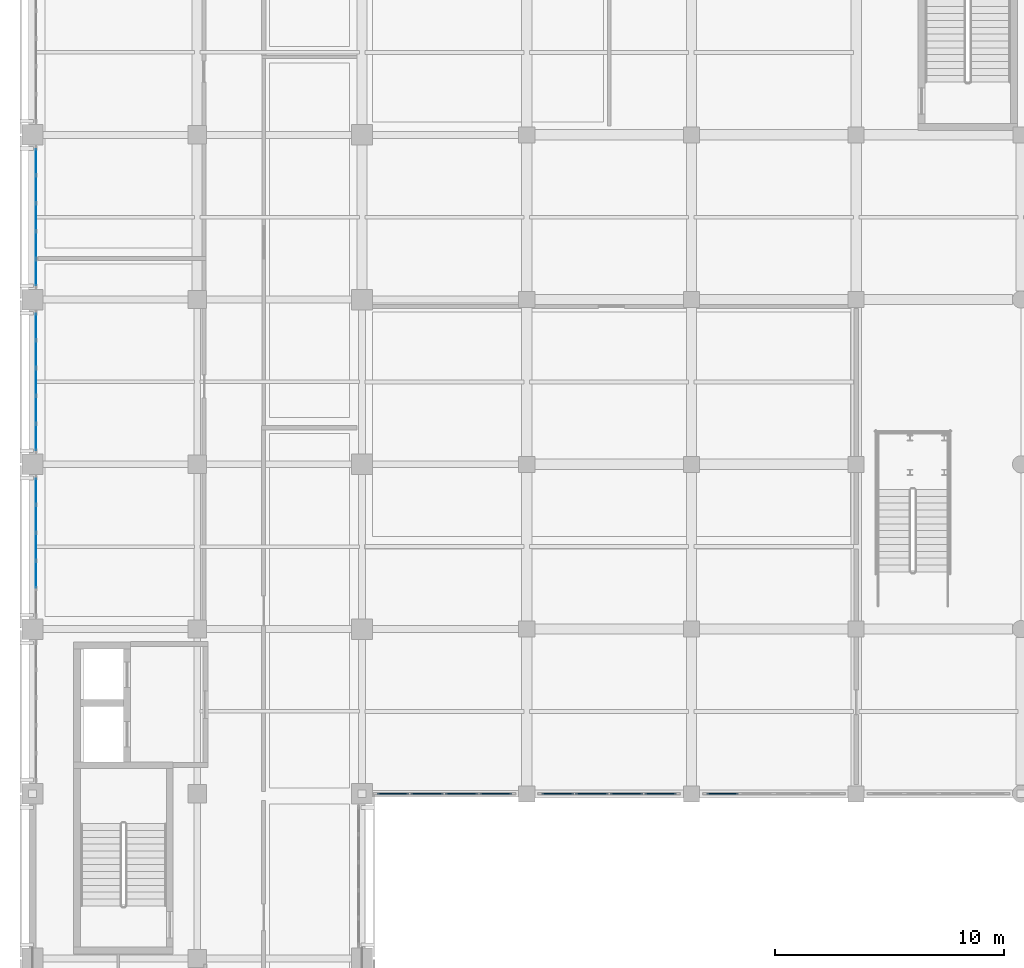
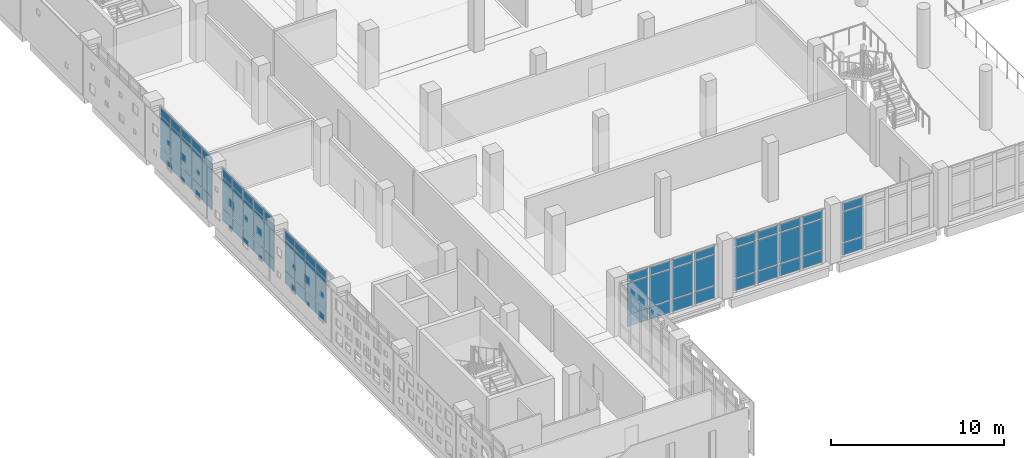
# One storey, part 23 of 57: 69 plates, 6 elements without a shape of their own.
"""IFC4 building model written with IfcOpenShell, lengths in metres."""

from ifc_helpers import new_model, si_unit, direction, frame, origin, origin_2d, place, context, subcontext, project, spatial, rectangle, extrude, material, layer, layer_set, type_object, element, aggregate, save


model = new_model("IFC4")

# Units and contexts
model_context = context("Model", 3, precision=1e-05, world=origin(), true_north=direction((0.0, 1.0)))
body_context = subcontext(model_context, "Body", "Model", "MODEL_VIEW")
ifc_project = project(units=[si_unit("LENGTHUNIT", "METRE"), si_unit("AREAUNIT", "SQUARE_METRE"), si_unit("VOLUMEUNIT", "CUBIC_METRE"), si_unit("PLANEANGLEUNIT", "RADIAN"), si_unit("MASSUNIT", "GRAM", prefix="KILO")], contexts=[model_context])

# Site, building, storey
site_placement = place(None, origin())
site = spatial("IfcSite", under=ifc_project, at=site_placement, CompositionType="ELEMENT")
building_placement = place(site_placement, origin())
building = spatial("IfcBuilding", under=site, at=building_placement, Name="Valkovuoma Quantum and Materials Research Institute", CompositionType="ELEMENT")
storey_placement = place(building_placement, frame((0.0, 0.0, 4.800048828125)))
storey = spatial("IfcBuildingStorey", under=building, at=storey_placement, Name="L01", CompositionType="ELEMENT", Elevation=4.800048828125)

# Curtain wall, plates
ifc_material_1 = material(Name="Thermally broken aluminium and triple low-E glazing", Category="aluminium")
ifc_layer_1 = layer(ifc_material_1, 0.219970703125)
ifc_layer_set_1 = layer_set([ifc_layer_1], Name="Thermally broken aluminium and triple low-E glazing")
curtain_wall_type_1 = type_object("IfcCurtainWallType", Name="CW-CW-01", PredefinedType="NOTDEFINED", material=ifc_layer_set_1)
curtain_wall_1_placement = place(storey_placement, origin())
curtain_wall_1 = element("IfcCurtainWall", 1, at=curtain_wall_1_placement, inside=storey, type_object=curtain_wall_type_1, Name="L01 curtain wall 012", PredefinedType="NOTDEFINED")
ifc_material_2 = material(Name="Triple low-E argon insulating glass", Category="glass")
ifc_layer_2 = layer(ifc_material_2, 0.035888671875)
ifc_layer_set_2 = layer_set([ifc_layer_2], Name="Triple low-E argon insulating glass")
plate_type_1 = type_object("IfcPlateType", Name="CWPanel-CWP-01", PredefinedType="CURTAIN_PANEL", material=ifc_layer_set_2)
plate_1_placement = place(storey_placement, frame((0.14990234375, 45.582763671875, 0.06494140625), z_axis=(0.0, 0.0, 1.0), x_axis=(0.0, 1.0, 0.0)))
plate_1 = element("IfcPlate", 2, at=plate_1_placement, type_object=plate_type_1, Name="CW-01 panel 2.1", PredefinedType="CURTAIN_PANEL", context=body_context, shape_type="SweptSolid", body=[
    extrude(rectangle(XDim=1.152099609375, YDim=0.035888671875, at=origin_2d()), origin(), (0.0, 0.0, 1.0), 0.8525390625),
])
plate_2_placement = place(storey_placement, frame((0.14990234375, 45.582763671875, 0.982421875), z_axis=(0.0, 0.0, 1.0), x_axis=(0.0, 1.0, 0.0)))
plate_2 = element("IfcPlate", 3, at=plate_2_placement, type_object=plate_type_1, Name="CW-01 panel 2.2", PredefinedType="CURTAIN_PANEL", context=body_context, shape_type="SweptSolid", body=[
    extrude(rectangle(XDim=1.152099609375, YDim=0.035888671875, at=origin_2d()), origin(), (0.0, 0.0, 1.0), 2.14501953125),
])
plate_3_placement = place(storey_placement, frame((0.14990234375, 45.582763671875, 3.1923828125), z_axis=(0.0, 0.0, 1.0), x_axis=(0.0, 1.0, 0.0)))
plate_3 = element("IfcPlate", 4, at=plate_3_placement, type_object=plate_type_1, Name="CW-01 panel 2.3", PredefinedType="CURTAIN_PANEL", context=body_context, shape_type="SweptSolid", body=[
    extrude(rectangle(XDim=1.152099609375, YDim=0.035888671875, at=origin_2d()), origin(), (0.0, 0.0, 1.0), 0.552490234375),
])
plate_4_placement = place(storey_placement, frame((0.14990234375, 46.800048828125, 0.06494140625), z_axis=(0.0, 0.0, 1.0), x_axis=(0.0, 1.0, 0.0)))
plate_4 = element("IfcPlate", 5, at=plate_4_placement, type_object=plate_type_1, Name="CW-01 panel 3.1", PredefinedType="CURTAIN_PANEL", context=body_context, shape_type="SweptSolid", body=[
    extrude(rectangle(XDim=1.152099609375, YDim=0.035888671875, at=origin_2d()), origin(), (0.0, 0.0, 1.0), 0.8525390625),
])
plate_5_placement = place(storey_placement, frame((0.14990234375, 46.800048828125, 0.982421875), z_axis=(0.0, 0.0, 1.0), x_axis=(0.0, 1.0, 0.0)))
plate_5 = element("IfcPlate", 6, at=plate_5_placement, type_object=plate_type_1, Name="CW-01 panel 3.2", PredefinedType="CURTAIN_PANEL", context=body_context, shape_type="SweptSolid", body=[
    extrude(rectangle(XDim=1.152099609375, YDim=0.035888671875, at=origin_2d()), origin(), (0.0, 0.0, 1.0), 2.14501953125),
])
plate_6_placement = place(storey_placement, frame((0.14990234375, 46.800048828125, 3.1923828125), z_axis=(0.0, 0.0, 1.0), x_axis=(0.0, 1.0, 0.0)))
plate_6 = element("IfcPlate", 7, at=plate_6_placement, type_object=plate_type_1, Name="CW-01 panel 3.3", PredefinedType="CURTAIN_PANEL", context=body_context, shape_type="SweptSolid", body=[
    extrude(rectangle(XDim=1.152099609375, YDim=0.035888671875, at=origin_2d()), origin(), (0.0, 0.0, 1.0), 0.552490234375),
])
plate_7_placement = place(storey_placement, frame((0.14990234375, 48.01708984375, 0.06494140625), z_axis=(0.0, 0.0, 1.0), x_axis=(0.0, 1.0, 0.0)))
plate_7 = element("IfcPlate", 8, at=plate_7_placement, type_object=plate_type_1, Name="CW-01 panel 4.1", PredefinedType="CURTAIN_PANEL", context=body_context, shape_type="SweptSolid", body=[
    extrude(rectangle(XDim=1.152099609375, YDim=0.035888671875, at=origin_2d()), origin(), (0.0, 0.0, 1.0), 0.8525390625),
])
plate_8_placement = place(storey_placement, frame((0.14990234375, 48.01708984375, 0.982421875), z_axis=(0.0, 0.0, 1.0), x_axis=(0.0, 1.0, 0.0)))
plate_8 = element("IfcPlate", 9, at=plate_8_placement, type_object=plate_type_1, Name="CW-01 panel 4.2", PredefinedType="CURTAIN_PANEL", context=body_context, shape_type="SweptSolid", body=[
    extrude(rectangle(XDim=1.152099609375, YDim=0.035888671875, at=origin_2d()), origin(), (0.0, 0.0, 1.0), 2.14501953125),
])
plate_9_placement = place(storey_placement, frame((0.14990234375, 48.01708984375, 3.1923828125), z_axis=(0.0, 0.0, 1.0), x_axis=(0.0, 1.0, 0.0)))
plate_9 = element("IfcPlate", 10, at=plate_9_placement, type_object=plate_type_1, Name="CW-01 panel 4.3", PredefinedType="CURTAIN_PANEL", context=body_context, shape_type="SweptSolid", body=[
    extrude(rectangle(XDim=1.152099609375, YDim=0.035888671875, at=origin_2d()), origin(), (0.0, 0.0, 1.0), 0.552490234375),
])
plate_10_placement = place(storey_placement, frame((0.14990234375, 49.218017578125, 0.06494140625), z_axis=(0.0, 0.0, 1.0), x_axis=(0.0, 1.0, 0.0)))
plate_10 = element("IfcPlate", 11, at=plate_10_placement, type_object=plate_type_1, Name="CW-01 panel 5.1", PredefinedType="CURTAIN_PANEL", context=body_context, shape_type="SweptSolid", body=[
    extrude(rectangle(XDim=1.11962890625, YDim=0.035888671875, at=origin_2d()), origin(), (0.0, 0.0, 1.0), 0.8525390625),
])
plate_11_placement = place(storey_placement, frame((0.14990234375, 49.218017578125, 0.982421875), z_axis=(0.0, 0.0, 1.0), x_axis=(0.0, 1.0, 0.0)))
plate_11 = element("IfcPlate", 12, at=plate_11_placement, type_object=plate_type_1, Name="CW-01 panel 5.2", PredefinedType="CURTAIN_PANEL", context=body_context, shape_type="SweptSolid", body=[
    extrude(rectangle(XDim=1.11962890625, YDim=0.035888671875, at=origin_2d()), origin(), (0.0, 0.0, 1.0), 2.14501953125),
])
plate_12_placement = place(storey_placement, frame((0.14990234375, 49.218017578125, 3.1923828125), z_axis=(0.0, 0.0, 1.0), x_axis=(0.0, 1.0, 0.0)))
plate_12 = element("IfcPlate", 13, at=plate_12_placement, type_object=plate_type_1, Name="CW-01 panel 5.3", PredefinedType="CURTAIN_PANEL", context=body_context, shape_type="SweptSolid", body=[
    extrude(rectangle(XDim=1.11962890625, YDim=0.035888671875, at=origin_2d()), origin(), (0.0, 0.0, 1.0), 0.552490234375),
])
aggregate(curtain_wall_1, [plate_1, plate_2, plate_3, plate_4, plate_5, plate_6, plate_7, plate_8, plate_9, plate_10, plate_11, plate_12])

curtain_wall_2_placement = place(storey_placement, origin())
curtain_wall_2 = element("IfcCurtainWall", 14, at=curtain_wall_2_placement, inside=storey, type_object=curtain_wall_type_1, Name="L01 curtain wall 013", PredefinedType="NOTDEFINED")
plate_13_placement = place(storey_placement, frame((0.14990234375, 51.58203125, 0.06494140625), z_axis=(0.0, 0.0, 1.0), x_axis=(0.0, 1.0, 0.0)))
plate_13 = element("IfcPlate", 15, at=plate_13_placement, type_object=plate_type_1, Name="CW-01 panel 1.1", PredefinedType="CURTAIN_PANEL", context=body_context, shape_type="SweptSolid", body=[
    extrude(rectangle(XDim=1.11962890625, YDim=0.035888671875, at=origin_2d()), origin(), (0.0, 0.0, 1.0), 0.8525390625),
])
plate_14_placement = place(storey_placement, frame((0.14990234375, 51.58203125, 0.982421875), z_axis=(0.0, 0.0, 1.0), x_axis=(0.0, 1.0, 0.0)))
plate_14 = element("IfcPlate", 16, at=plate_14_placement, type_object=plate_type_1, Name="CW-01 panel 1.2", PredefinedType="CURTAIN_PANEL", context=body_context, shape_type="SweptSolid", body=[
    extrude(rectangle(XDim=1.11962890625, YDim=0.035888671875, at=origin_2d()), origin(), (0.0, 0.0, 1.0), 2.14501953125),
])
plate_15_placement = place(storey_placement, frame((0.14990234375, 51.58203125, 3.1923828125), z_axis=(0.0, 0.0, 1.0), x_axis=(0.0, 1.0, 0.0)))
plate_15 = element("IfcPlate", 17, at=plate_15_placement, type_object=plate_type_1, Name="CW-01 panel 1.3", PredefinedType="CURTAIN_PANEL", context=body_context, shape_type="SweptSolid", body=[
    extrude(rectangle(XDim=1.11962890625, YDim=0.035888671875, at=origin_2d()), origin(), (0.0, 0.0, 1.0), 0.552490234375),
])
plate_16_placement = place(storey_placement, frame((0.14990234375, 52.782958984375, 0.06494140625), z_axis=(0.0, 0.0, 1.0), x_axis=(0.0, 1.0, 0.0)))
plate_16 = element("IfcPlate", 18, at=plate_16_placement, type_object=plate_type_1, Name="CW-01 panel 2.1", PredefinedType="CURTAIN_PANEL", context=body_context, shape_type="SweptSolid", body=[
    extrude(rectangle(XDim=1.152099609375, YDim=0.035888671875, at=origin_2d()), origin(), (0.0, 0.0, 1.0), 0.8525390625),
])
plate_17_placement = place(storey_placement, frame((0.14990234375, 52.782958984375, 0.982421875), z_axis=(0.0, 0.0, 1.0), x_axis=(0.0, 1.0, 0.0)))
plate_17 = element("IfcPlate", 19, at=plate_17_placement, type_object=plate_type_1, Name="CW-01 panel 2.2", PredefinedType="CURTAIN_PANEL", context=body_context, shape_type="SweptSolid", body=[
    extrude(rectangle(XDim=1.152099609375, YDim=0.035888671875, at=origin_2d()), origin(), (0.0, 0.0, 1.0), 2.14501953125),
])
plate_18_placement = place(storey_placement, frame((0.14990234375, 52.782958984375, 3.1923828125), z_axis=(0.0, 0.0, 1.0), x_axis=(0.0, 1.0, 0.0)))
plate_18 = element("IfcPlate", 20, at=plate_18_placement, type_object=plate_type_1, Name="CW-01 panel 2.3", PredefinedType="CURTAIN_PANEL", context=body_context, shape_type="SweptSolid", body=[
    extrude(rectangle(XDim=1.152099609375, YDim=0.035888671875, at=origin_2d()), origin(), (0.0, 0.0, 1.0), 0.552490234375),
])
plate_19_placement = place(storey_placement, frame((0.14990234375, 54.0, 0.06494140625), z_axis=(0.0, 0.0, 1.0), x_axis=(0.0, 1.0, 0.0)))
plate_19 = element("IfcPlate", 21, at=plate_19_placement, type_object=plate_type_1, Name="CW-01 panel 3.1", PredefinedType="CURTAIN_PANEL", context=body_context, shape_type="SweptSolid", body=[
    extrude(rectangle(XDim=1.152099609375, YDim=0.035888671875, at=origin_2d()), origin(), (0.0, 0.0, 1.0), 0.8525390625),
])
plate_20_placement = place(storey_placement, frame((0.14990234375, 54.0, 0.982421875), z_axis=(0.0, 0.0, 1.0), x_axis=(0.0, 1.0, 0.0)))
plate_20 = element("IfcPlate", 22, at=plate_20_placement, type_object=plate_type_1, Name="CW-01 panel 3.2", PredefinedType="CURTAIN_PANEL", context=body_context, shape_type="SweptSolid", body=[
    extrude(rectangle(XDim=1.152099609375, YDim=0.035888671875, at=origin_2d()), origin(), (0.0, 0.0, 1.0), 2.14501953125),
])
plate_21_placement = place(storey_placement, frame((0.14990234375, 54.0, 3.1923828125), z_axis=(0.0, 0.0, 1.0), x_axis=(0.0, 1.0, 0.0)))
plate_21 = element("IfcPlate", 23, at=plate_21_placement, type_object=plate_type_1, Name="CW-01 panel 3.3", PredefinedType="CURTAIN_PANEL", context=body_context, shape_type="SweptSolid", body=[
    extrude(rectangle(XDim=1.152099609375, YDim=0.035888671875, at=origin_2d()), origin(), (0.0, 0.0, 1.0), 0.552490234375),
])
plate_22_placement = place(storey_placement, frame((0.14990234375, 55.217041015625, 0.06494140625), z_axis=(0.0, 0.0, 1.0), x_axis=(0.0, 1.0, 0.0)))
plate_22 = element("IfcPlate", 24, at=plate_22_placement, type_object=plate_type_1, Name="CW-01 panel 4.1", PredefinedType="CURTAIN_PANEL", context=body_context, shape_type="SweptSolid", body=[
    extrude(rectangle(XDim=1.152099609375, YDim=0.035888671875, at=origin_2d()), origin(), (0.0, 0.0, 1.0), 0.8525390625),
])
plate_23_placement = place(storey_placement, frame((0.14990234375, 55.217041015625, 0.982421875), z_axis=(0.0, 0.0, 1.0), x_axis=(0.0, 1.0, 0.0)))
plate_23 = element("IfcPlate", 25, at=plate_23_placement, type_object=plate_type_1, Name="CW-01 panel 4.2", PredefinedType="CURTAIN_PANEL", context=body_context, shape_type="SweptSolid", body=[
    extrude(rectangle(XDim=1.152099609375, YDim=0.035888671875, at=origin_2d()), origin(), (0.0, 0.0, 1.0), 2.14501953125),
])
plate_24_placement = place(storey_placement, frame((0.14990234375, 55.217041015625, 3.1923828125), z_axis=(0.0, 0.0, 1.0), x_axis=(0.0, 1.0, 0.0)))
plate_24 = element("IfcPlate", 26, at=plate_24_placement, type_object=plate_type_1, Name="CW-01 panel 4.3", PredefinedType="CURTAIN_PANEL", context=body_context, shape_type="SweptSolid", body=[
    extrude(rectangle(XDim=1.152099609375, YDim=0.035888671875, at=origin_2d()), origin(), (0.0, 0.0, 1.0), 0.552490234375),
])
plate_25_placement = place(storey_placement, frame((0.14990234375, 56.41796875, 0.06494140625), z_axis=(0.0, 0.0, 1.0), x_axis=(0.0, 1.0, 0.0)))
plate_25 = element("IfcPlate", 27, at=plate_25_placement, type_object=plate_type_1, Name="CW-01 panel 5.1", PredefinedType="CURTAIN_PANEL", context=body_context, shape_type="SweptSolid", body=[
    extrude(rectangle(XDim=1.11962890625, YDim=0.035888671875, at=origin_2d()), origin(), (0.0, 0.0, 1.0), 0.8525390625),
])
plate_26_placement = place(storey_placement, frame((0.14990234375, 56.41796875, 0.982421875), z_axis=(0.0, 0.0, 1.0), x_axis=(0.0, 1.0, 0.0)))
plate_26 = element("IfcPlate", 28, at=plate_26_placement, type_object=plate_type_1, Name="CW-01 panel 5.2", PredefinedType="CURTAIN_PANEL", context=body_context, shape_type="SweptSolid", body=[
    extrude(rectangle(XDim=1.11962890625, YDim=0.035888671875, at=origin_2d()), origin(), (0.0, 0.0, 1.0), 2.14501953125),
])
plate_27_placement = place(storey_placement, frame((0.14990234375, 56.41796875, 3.1923828125), z_axis=(0.0, 0.0, 1.0), x_axis=(0.0, 1.0, 0.0)))
plate_27 = element("IfcPlate", 29, at=plate_27_placement, type_object=plate_type_1, Name="CW-01 panel 5.3", PredefinedType="CURTAIN_PANEL", context=body_context, shape_type="SweptSolid", body=[
    extrude(rectangle(XDim=1.11962890625, YDim=0.035888671875, at=origin_2d()), origin(), (0.0, 0.0, 1.0), 0.552490234375),
])
aggregate(curtain_wall_2, [plate_13, plate_14, plate_15, plate_16, plate_17, plate_18, plate_19, plate_20, plate_21, plate_22, plate_23, plate_24, plate_25, plate_26, plate_27])

curtain_wall_3_placement = place(storey_placement, origin())
curtain_wall_3 = element("IfcCurtainWall", 30, at=curtain_wall_3_placement, inside=storey, type_object=curtain_wall_type_1, Name="L01 curtain wall 014", PredefinedType="NOTDEFINED")
plate_28_placement = place(storey_placement, frame((0.14990234375, 58.781982421875, 0.06494140625), z_axis=(0.0, 0.0, 1.0), x_axis=(0.0, 1.0, 0.0)))
plate_28 = element("IfcPlate", 31, at=plate_28_placement, type_object=plate_type_1, Name="CW-01 panel 1.1", PredefinedType="CURTAIN_PANEL", context=body_context, shape_type="SweptSolid", body=[
    extrude(rectangle(XDim=1.11962890625, YDim=0.035888671875, at=origin_2d()), origin(), (0.0, 0.0, 1.0), 0.8525390625),
])
plate_29_placement = place(storey_placement, frame((0.14990234375, 58.781982421875, 0.982421875), z_axis=(0.0, 0.0, 1.0), x_axis=(0.0, 1.0, 0.0)))
plate_29 = element("IfcPlate", 32, at=plate_29_placement, type_object=plate_type_1, Name="CW-01 panel 1.2", PredefinedType="CURTAIN_PANEL", context=body_context, shape_type="SweptSolid", body=[
    extrude(rectangle(XDim=1.11962890625, YDim=0.035888671875, at=origin_2d()), origin(), (0.0, 0.0, 1.0), 2.14501953125),
])
plate_30_placement = place(storey_placement, frame((0.14990234375, 58.781982421875, 3.1923828125), z_axis=(0.0, 0.0, 1.0), x_axis=(0.0, 1.0, 0.0)))
plate_30 = element("IfcPlate", 33, at=plate_30_placement, type_object=plate_type_1, Name="CW-01 panel 1.3", PredefinedType="CURTAIN_PANEL", context=body_context, shape_type="SweptSolid", body=[
    extrude(rectangle(XDim=1.11962890625, YDim=0.035888671875, at=origin_2d()), origin(), (0.0, 0.0, 1.0), 0.552490234375),
])
plate_31_placement = place(storey_placement, frame((0.14990234375, 59.98291015625, 0.06494140625), z_axis=(0.0, 0.0, 1.0), x_axis=(0.0, 1.0, 0.0)))
plate_31 = element("IfcPlate", 34, at=plate_31_placement, type_object=plate_type_1, Name="CW-01 panel 2.1", PredefinedType="CURTAIN_PANEL", context=body_context, shape_type="SweptSolid", body=[
    extrude(rectangle(XDim=1.152099609375, YDim=0.035888671875, at=origin_2d()), origin(), (0.0, 0.0, 1.0), 0.8525390625),
])
plate_32_placement = place(storey_placement, frame((0.14990234375, 59.98291015625, 0.982421875), z_axis=(0.0, 0.0, 1.0), x_axis=(0.0, 1.0, 0.0)))
plate_32 = element("IfcPlate", 35, at=plate_32_placement, type_object=plate_type_1, Name="CW-01 panel 2.2", PredefinedType="CURTAIN_PANEL", context=body_context, shape_type="SweptSolid", body=[
    extrude(rectangle(XDim=1.152099609375, YDim=0.035888671875, at=origin_2d()), origin(), (0.0, 0.0, 1.0), 2.14501953125),
])
plate_33_placement = place(storey_placement, frame((0.14990234375, 59.98291015625, 3.1923828125), z_axis=(0.0, 0.0, 1.0), x_axis=(0.0, 1.0, 0.0)))
plate_33 = element("IfcPlate", 36, at=plate_33_placement, type_object=plate_type_1, Name="CW-01 panel 2.3", PredefinedType="CURTAIN_PANEL", context=body_context, shape_type="SweptSolid", body=[
    extrude(rectangle(XDim=1.152099609375, YDim=0.035888671875, at=origin_2d()), origin(), (0.0, 0.0, 1.0), 0.552490234375),
])
plate_34_placement = place(storey_placement, frame((0.14990234375, 61.199951171875, 0.06494140625), z_axis=(0.0, 0.0, 1.0), x_axis=(0.0, 1.0, 0.0)))
plate_34 = element("IfcPlate", 37, at=plate_34_placement, type_object=plate_type_1, Name="CW-01 panel 3.1", PredefinedType="CURTAIN_PANEL", context=body_context, shape_type="SweptSolid", body=[
    extrude(rectangle(XDim=1.152099609375, YDim=0.035888671875, at=origin_2d()), origin(), (0.0, 0.0, 1.0), 0.8525390625),
])
plate_35_placement = place(storey_placement, frame((0.14990234375, 61.199951171875, 0.982421875), z_axis=(0.0, 0.0, 1.0), x_axis=(0.0, 1.0, 0.0)))
plate_35 = element("IfcPlate", 38, at=plate_35_placement, type_object=plate_type_1, Name="CW-01 panel 3.2", PredefinedType="CURTAIN_PANEL", context=body_context, shape_type="SweptSolid", body=[
    extrude(rectangle(XDim=1.152099609375, YDim=0.035888671875, at=origin_2d()), origin(), (0.0, 0.0, 1.0), 2.14501953125),
])
plate_36_placement = place(storey_placement, frame((0.14990234375, 61.199951171875, 3.1923828125), z_axis=(0.0, 0.0, 1.0), x_axis=(0.0, 1.0, 0.0)))
plate_36 = element("IfcPlate", 39, at=plate_36_placement, type_object=plate_type_1, Name="CW-01 panel 3.3", PredefinedType="CURTAIN_PANEL", context=body_context, shape_type="SweptSolid", body=[
    extrude(rectangle(XDim=1.152099609375, YDim=0.035888671875, at=origin_2d()), origin(), (0.0, 0.0, 1.0), 0.552490234375),
])
plate_37_placement = place(storey_placement, frame((0.14990234375, 62.417236328125, 0.06494140625), z_axis=(0.0, 0.0, 1.0), x_axis=(0.0, 1.0, 0.0)))
plate_37 = element("IfcPlate", 40, at=plate_37_placement, type_object=plate_type_1, Name="CW-01 panel 4.1", PredefinedType="CURTAIN_PANEL", context=body_context, shape_type="SweptSolid", body=[
    extrude(rectangle(XDim=1.152099609375, YDim=0.035888671875, at=origin_2d()), origin(), (0.0, 0.0, 1.0), 0.8525390625),
])
plate_38_placement = place(storey_placement, frame((0.14990234375, 62.417236328125, 0.982421875), z_axis=(0.0, 0.0, 1.0), x_axis=(0.0, 1.0, 0.0)))
plate_38 = element("IfcPlate", 41, at=plate_38_placement, type_object=plate_type_1, Name="CW-01 panel 4.2", PredefinedType="CURTAIN_PANEL", context=body_context, shape_type="SweptSolid", body=[
    extrude(rectangle(XDim=1.152099609375, YDim=0.035888671875, at=origin_2d()), origin(), (0.0, 0.0, 1.0), 2.14501953125),
])
plate_39_placement = place(storey_placement, frame((0.14990234375, 62.417236328125, 3.1923828125), z_axis=(0.0, 0.0, 1.0), x_axis=(0.0, 1.0, 0.0)))
plate_39 = element("IfcPlate", 42, at=plate_39_placement, type_object=plate_type_1, Name="CW-01 panel 4.3", PredefinedType="CURTAIN_PANEL", context=body_context, shape_type="SweptSolid", body=[
    extrude(rectangle(XDim=1.152099609375, YDim=0.035888671875, at=origin_2d()), origin(), (0.0, 0.0, 1.0), 0.552490234375),
])
plate_40_placement = place(storey_placement, frame((0.14990234375, 63.6181640625, 0.06494140625), z_axis=(0.0, 0.0, 1.0), x_axis=(0.0, 1.0, 0.0)))
plate_40 = element("IfcPlate", 43, at=plate_40_placement, type_object=plate_type_1, Name="CW-01 panel 5.1", PredefinedType="CURTAIN_PANEL", context=body_context, shape_type="SweptSolid", body=[
    extrude(rectangle(XDim=1.11962890625, YDim=0.035888671875, at=origin_2d()), origin(), (0.0, 0.0, 1.0), 0.8525390625),
])
plate_41_placement = place(storey_placement, frame((0.14990234375, 63.6181640625, 0.982421875), z_axis=(0.0, 0.0, 1.0), x_axis=(0.0, 1.0, 0.0)))
plate_41 = element("IfcPlate", 44, at=plate_41_placement, type_object=plate_type_1, Name="CW-01 panel 5.2", PredefinedType="CURTAIN_PANEL", context=body_context, shape_type="SweptSolid", body=[
    extrude(rectangle(XDim=1.11962890625, YDim=0.035888671875, at=origin_2d()), origin(), (0.0, 0.0, 1.0), 2.14501953125),
])
plate_42_placement = place(storey_placement, frame((0.14990234375, 63.6181640625, 3.1923828125), z_axis=(0.0, 0.0, 1.0), x_axis=(0.0, 1.0, 0.0)))
plate_42 = element("IfcPlate", 45, at=plate_42_placement, type_object=plate_type_1, Name="CW-01 panel 5.3", PredefinedType="CURTAIN_PANEL", context=body_context, shape_type="SweptSolid", body=[
    extrude(rectangle(XDim=1.11962890625, YDim=0.035888671875, at=origin_2d()), origin(), (0.0, 0.0, 1.0), 0.552490234375),
])
aggregate(curtain_wall_3, [plate_28, plate_29, plate_30, plate_31, plate_32, plate_33, plate_34, plate_35, plate_36, plate_37, plate_38, plate_39, plate_40, plate_41, plate_42])

ifc_material_3 = material(Name="Thermally broken aluminium and triple low-E glazing", Category="aluminium")
ifc_layer_3 = layer(ifc_material_3, 0.219970703125)
ifc_layer_set_3 = layer_set([ifc_layer_3], Name="Thermally broken aluminium and triple low-E glazing")
curtain_wall_type_2 = type_object("IfcCurtainWallType", Name="CW-CW-02", PredefinedType="NOTDEFINED", material=ifc_layer_set_3)
curtain_wall_4_placement = place(storey_placement, origin())
curtain_wall_4 = element("IfcCurtainWall", 46, at=curtain_wall_4_placement, inside=storey, type_object=curtain_wall_type_2, Name="L01 curtain wall 159", PredefinedType="NOTDEFINED")
ifc_material_4 = material(Name="Triple low-E argon insulating glass", Category="glass")
ifc_layer_4 = layer(ifc_material_4, 0.048095703125)
ifc_layer_set_4 = layer_set([ifc_layer_4], Name="Triple low-E argon insulating glass")
plate_type_2 = type_object("IfcPlateType", Name="CWPanel-CWP-03", PredefinedType="CURTAIN_PANEL", material=ifc_layer_set_4)
plate_43_placement = place(storey_placement, frame((15.7548828125, 36.0, 0.074951171875), z_axis=(0.0, 0.0, 1.0), x_axis=(1.0, 0.0, 0.0)))
plate_43 = element("IfcPlate", 47, at=plate_43_placement, type_object=plate_type_2, Name="CW-02 panel 1.1", PredefinedType="CURTAIN_PANEL", context=body_context, shape_type="SweptSolid", body=[
    extrude(rectangle(XDim=1.389892578125, YDim=0.048095703125, at=origin_2d()), origin(), (0.0, 0.0, 1.0), 0.83740234375),
])
plate_44_placement = place(storey_placement, frame((15.7548828125, 36.0, 0.9873046875), z_axis=(0.0, 0.0, 1.0), x_axis=(1.0, 0.0, 0.0)))
plate_44 = element("IfcPlate", 48, at=plate_44_placement, type_object=plate_type_2, Name="CW-02 panel 1.2", PredefinedType="CURTAIN_PANEL", context=body_context, shape_type="SweptSolid", body=[
    extrude(rectangle(XDim=1.389892578125, YDim=0.048095703125, at=origin_2d()), origin(), (0.0, 0.0, 1.0), 2.135009765625),
])
plate_45_placement = place(storey_placement, frame((15.7548828125, 36.0, 3.197509765625), z_axis=(0.0, 0.0, 1.0), x_axis=(1.0, 0.0, 0.0)))
plate_45 = element("IfcPlate", 49, at=plate_45_placement, type_object=plate_type_2, Name="CW-02 panel 1.3", PredefinedType="CURTAIN_PANEL", context=body_context, shape_type="SweptSolid", body=[
    extrude(rectangle(XDim=1.389892578125, YDim=0.048095703125, at=origin_2d()), origin(), (0.0, 0.0, 1.0), 0.53759765625),
])
plate_46_placement = place(storey_placement, frame((17.2451171875, 36.0, 0.074951171875), z_axis=(0.0, 0.0, 1.0), x_axis=(1.0, 0.0, 0.0)))
plate_46 = element("IfcPlate", 50, at=plate_46_placement, type_object=plate_type_2, Name="CW-02 panel 2.1", PredefinedType="CURTAIN_PANEL", context=body_context, shape_type="SweptSolid", body=[
    extrude(rectangle(XDim=1.429931640625, YDim=0.048095703125, at=origin_2d()), origin(), (0.0, 0.0, 1.0), 0.83740234375),
])
plate_47_placement = place(storey_placement, frame((17.2451171875, 36.0, 0.9873046875), z_axis=(0.0, 0.0, 1.0), x_axis=(1.0, 0.0, 0.0)))
plate_47 = element("IfcPlate", 51, at=plate_47_placement, type_object=plate_type_2, Name="CW-02 panel 2.2", PredefinedType="CURTAIN_PANEL", context=body_context, shape_type="SweptSolid", body=[
    extrude(rectangle(XDim=1.429931640625, YDim=0.048095703125, at=origin_2d()), origin(), (0.0, 0.0, 1.0), 2.135009765625),
])
plate_48_placement = place(storey_placement, frame((17.2451171875, 36.0, 3.197509765625), z_axis=(0.0, 0.0, 1.0), x_axis=(1.0, 0.0, 0.0)))
plate_48 = element("IfcPlate", 52, at=plate_48_placement, type_object=plate_type_2, Name="CW-02 panel 2.3", PredefinedType="CURTAIN_PANEL", context=body_context, shape_type="SweptSolid", body=[
    extrude(rectangle(XDim=1.429931640625, YDim=0.048095703125, at=origin_2d()), origin(), (0.0, 0.0, 1.0), 0.53759765625),
])
plate_49_placement = place(storey_placement, frame((18.7548828125, 36.0, 0.074951171875), z_axis=(0.0, 0.0, 1.0), x_axis=(1.0, 0.0, 0.0)))
plate_49 = element("IfcPlate", 53, at=plate_49_placement, type_object=plate_type_2, Name="CW-02 panel 3.1", PredefinedType="CURTAIN_PANEL", context=body_context, shape_type="SweptSolid", body=[
    extrude(rectangle(XDim=1.429931640625, YDim=0.048095703125, at=origin_2d()), origin(), (0.0, 0.0, 1.0), 0.83740234375),
])
plate_50_placement = place(storey_placement, frame((18.7548828125, 36.0, 0.9873046875), z_axis=(0.0, 0.0, 1.0), x_axis=(1.0, 0.0, 0.0)))
plate_50 = element("IfcPlate", 54, at=plate_50_placement, type_object=plate_type_2, Name="CW-02 panel 3.2", PredefinedType="CURTAIN_PANEL", context=body_context, shape_type="SweptSolid", body=[
    extrude(rectangle(XDim=1.429931640625, YDim=0.048095703125, at=origin_2d()), origin(), (0.0, 0.0, 1.0), 2.135009765625),
])
plate_51_placement = place(storey_placement, frame((18.7548828125, 36.0, 3.197509765625), z_axis=(0.0, 0.0, 1.0), x_axis=(1.0, 0.0, 0.0)))
plate_51 = element("IfcPlate", 55, at=plate_51_placement, type_object=plate_type_2, Name="CW-02 panel 3.3", PredefinedType="CURTAIN_PANEL", context=body_context, shape_type="SweptSolid", body=[
    extrude(rectangle(XDim=1.429931640625, YDim=0.048095703125, at=origin_2d()), origin(), (0.0, 0.0, 1.0), 0.53759765625),
])
plate_52_placement = place(storey_placement, frame((20.2451171875, 36.0, 0.074951171875), z_axis=(0.0, 0.0, 1.0), x_axis=(1.0, 0.0, 0.0)))
plate_52 = element("IfcPlate", 56, at=plate_52_placement, type_object=plate_type_2, Name="CW-02 panel 4.1", PredefinedType="CURTAIN_PANEL", context=body_context, shape_type="SweptSolid", body=[
    extrude(rectangle(XDim=1.389892578125, YDim=0.048095703125, at=origin_2d()), origin(), (0.0, 0.0, 1.0), 0.83740234375),
])
plate_53_placement = place(storey_placement, frame((20.2451171875, 36.0, 0.9873046875), z_axis=(0.0, 0.0, 1.0), x_axis=(1.0, 0.0, 0.0)))
plate_53 = element("IfcPlate", 57, at=plate_53_placement, type_object=plate_type_2, Name="CW-02 panel 4.2", PredefinedType="CURTAIN_PANEL", context=body_context, shape_type="SweptSolid", body=[
    extrude(rectangle(XDim=1.389892578125, YDim=0.048095703125, at=origin_2d()), origin(), (0.0, 0.0, 1.0), 2.135009765625),
])
plate_54_placement = place(storey_placement, frame((20.2451171875, 36.0, 3.197509765625), z_axis=(0.0, 0.0, 1.0), x_axis=(1.0, 0.0, 0.0)))
plate_54 = element("IfcPlate", 58, at=plate_54_placement, type_object=plate_type_2, Name="CW-02 panel 4.3", PredefinedType="CURTAIN_PANEL", context=body_context, shape_type="SweptSolid", body=[
    extrude(rectangle(XDim=1.389892578125, YDim=0.048095703125, at=origin_2d()), origin(), (0.0, 0.0, 1.0), 0.53759765625),
])
aggregate(curtain_wall_4, [plate_43, plate_44, plate_45, plate_46, plate_47, plate_48, plate_49, plate_50, plate_51, plate_52, plate_53, plate_54])

curtain_wall_5_placement = place(storey_placement, origin())
curtain_wall_5 = element("IfcCurtainWall", 59, at=curtain_wall_5_placement, inside=storey, type_object=curtain_wall_type_2, Name="L01 curtain wall 160", PredefinedType="NOTDEFINED")
plate_55_placement = place(storey_placement, frame((22.955078125, 36.0, 0.074951171875), z_axis=(0.0, 0.0, 1.0), x_axis=(1.0, 0.0, 0.0)))
plate_55 = element("IfcPlate", 60, at=plate_55_placement, type_object=plate_type_2, Name="CW-02 panel 1.1", PredefinedType="CURTAIN_PANEL", context=body_context, shape_type="SweptSolid", body=[
    extrude(rectangle(XDim=1.389892578125, YDim=0.048095703125, at=origin_2d()), origin(), (0.0, 0.0, 1.0), 0.83740234375),
])
plate_56_placement = place(storey_placement, frame((22.955078125, 36.0, 0.9873046875), z_axis=(0.0, 0.0, 1.0), x_axis=(1.0, 0.0, 0.0)))
plate_56 = element("IfcPlate", 61, at=plate_56_placement, type_object=plate_type_2, Name="CW-02 panel 1.2", PredefinedType="CURTAIN_PANEL", context=body_context, shape_type="SweptSolid", body=[
    extrude(rectangle(XDim=1.389892578125, YDim=0.048095703125, at=origin_2d()), origin(), (0.0, 0.0, 1.0), 2.135009765625),
])
plate_57_placement = place(storey_placement, frame((22.955078125, 36.0, 3.197509765625), z_axis=(0.0, 0.0, 1.0), x_axis=(1.0, 0.0, 0.0)))
plate_57 = element("IfcPlate", 62, at=plate_57_placement, type_object=plate_type_2, Name="CW-02 panel 1.3", PredefinedType="CURTAIN_PANEL", context=body_context, shape_type="SweptSolid", body=[
    extrude(rectangle(XDim=1.389892578125, YDim=0.048095703125, at=origin_2d()), origin(), (0.0, 0.0, 1.0), 0.53759765625),
])
plate_58_placement = place(storey_placement, frame((24.445068359375, 36.0, 0.074951171875), z_axis=(0.0, 0.0, 1.0), x_axis=(1.0, 0.0, 0.0)))
plate_58 = element("IfcPlate", 63, at=plate_58_placement, type_object=plate_type_2, Name="CW-02 panel 2.1", PredefinedType="CURTAIN_PANEL", context=body_context, shape_type="SweptSolid", body=[
    extrude(rectangle(XDim=1.429931640625, YDim=0.048095703125, at=origin_2d()), origin(), (0.0, 0.0, 1.0), 0.83740234375),
])
plate_59_placement = place(storey_placement, frame((24.445068359375, 36.0, 0.9873046875), z_axis=(0.0, 0.0, 1.0), x_axis=(1.0, 0.0, 0.0)))
plate_59 = element("IfcPlate", 64, at=plate_59_placement, type_object=plate_type_2, Name="CW-02 panel 2.2", PredefinedType="CURTAIN_PANEL", context=body_context, shape_type="SweptSolid", body=[
    extrude(rectangle(XDim=1.429931640625, YDim=0.048095703125, at=origin_2d()), origin(), (0.0, 0.0, 1.0), 2.135009765625),
])
plate_60_placement = place(storey_placement, frame((24.445068359375, 36.0, 3.197509765625), z_axis=(0.0, 0.0, 1.0), x_axis=(1.0, 0.0, 0.0)))
plate_60 = element("IfcPlate", 65, at=plate_60_placement, type_object=plate_type_2, Name="CW-02 panel 2.3", PredefinedType="CURTAIN_PANEL", context=body_context, shape_type="SweptSolid", body=[
    extrude(rectangle(XDim=1.429931640625, YDim=0.048095703125, at=origin_2d()), origin(), (0.0, 0.0, 1.0), 0.53759765625),
])
plate_61_placement = place(storey_placement, frame((25.955078125, 36.0, 0.074951171875), z_axis=(0.0, 0.0, 1.0), x_axis=(1.0, 0.0, 0.0)))
plate_61 = element("IfcPlate", 66, at=plate_61_placement, type_object=plate_type_2, Name="CW-02 panel 3.1", PredefinedType="CURTAIN_PANEL", context=body_context, shape_type="SweptSolid", body=[
    extrude(rectangle(XDim=1.429931640625, YDim=0.048095703125, at=origin_2d()), origin(), (0.0, 0.0, 1.0), 0.83740234375),
])
plate_62_placement = place(storey_placement, frame((25.955078125, 36.0, 0.9873046875), z_axis=(0.0, 0.0, 1.0), x_axis=(1.0, 0.0, 0.0)))
plate_62 = element("IfcPlate", 67, at=plate_62_placement, type_object=plate_type_2, Name="CW-02 panel 3.2", PredefinedType="CURTAIN_PANEL", context=body_context, shape_type="SweptSolid", body=[
    extrude(rectangle(XDim=1.429931640625, YDim=0.048095703125, at=origin_2d()), origin(), (0.0, 0.0, 1.0), 2.135009765625),
])
plate_63_placement = place(storey_placement, frame((25.955078125, 36.0, 3.197509765625), z_axis=(0.0, 0.0, 1.0), x_axis=(1.0, 0.0, 0.0)))
plate_63 = element("IfcPlate", 68, at=plate_63_placement, type_object=plate_type_2, Name="CW-02 panel 3.3", PredefinedType="CURTAIN_PANEL", context=body_context, shape_type="SweptSolid", body=[
    extrude(rectangle(XDim=1.429931640625, YDim=0.048095703125, at=origin_2d()), origin(), (0.0, 0.0, 1.0), 0.53759765625),
])
plate_64_placement = place(storey_placement, frame((27.445068359375, 36.0, 0.074951171875), z_axis=(0.0, 0.0, 1.0), x_axis=(1.0, 0.0, 0.0)))
plate_64 = element("IfcPlate", 69, at=plate_64_placement, type_object=plate_type_2, Name="CW-02 panel 4.1", PredefinedType="CURTAIN_PANEL", context=body_context, shape_type="SweptSolid", body=[
    extrude(rectangle(XDim=1.389892578125, YDim=0.048095703125, at=origin_2d()), origin(), (0.0, 0.0, 1.0), 0.83740234375),
])
plate_65_placement = place(storey_placement, frame((27.445068359375, 36.0, 0.9873046875), z_axis=(0.0, 0.0, 1.0), x_axis=(1.0, 0.0, 0.0)))
plate_65 = element("IfcPlate", 70, at=plate_65_placement, type_object=plate_type_2, Name="CW-02 panel 4.2", PredefinedType="CURTAIN_PANEL", context=body_context, shape_type="SweptSolid", body=[
    extrude(rectangle(XDim=1.389892578125, YDim=0.048095703125, at=origin_2d()), origin(), (0.0, 0.0, 1.0), 2.135009765625),
])
plate_66_placement = place(storey_placement, frame((27.445068359375, 36.0, 3.197509765625), z_axis=(0.0, 0.0, 1.0), x_axis=(1.0, 0.0, 0.0)))
plate_66 = element("IfcPlate", 71, at=plate_66_placement, type_object=plate_type_2, Name="CW-02 panel 4.3", PredefinedType="CURTAIN_PANEL", context=body_context, shape_type="SweptSolid", body=[
    extrude(rectangle(XDim=1.389892578125, YDim=0.048095703125, at=origin_2d()), origin(), (0.0, 0.0, 1.0), 0.53759765625),
])
aggregate(curtain_wall_5, [plate_55, plate_56, plate_57, plate_58, plate_59, plate_60, plate_61, plate_62, plate_63, plate_64, plate_65, plate_66])

curtain_wall_6_placement = place(storey_placement, origin())
curtain_wall_6 = element("IfcCurtainWall", 72, at=curtain_wall_6_placement, inside=storey, type_object=curtain_wall_type_2, Name="L01 curtain wall 161", PredefinedType="NOTDEFINED")
plate_67_placement = place(storey_placement, frame((30.155029296875, 36.0, 0.074951171875), z_axis=(0.0, 0.0, 1.0), x_axis=(1.0, 0.0, 0.0)))
plate_67 = element("IfcPlate", 73, at=plate_67_placement, type_object=plate_type_2, Name="CW-02 panel 1.1", PredefinedType="CURTAIN_PANEL", context=body_context, shape_type="SweptSolid", body=[
    extrude(rectangle(XDim=1.389892578125, YDim=0.048095703125, at=origin_2d()), origin(), (0.0, 0.0, 1.0), 0.83740234375),
])
plate_68_placement = place(storey_placement, frame((30.155029296875, 36.0, 0.9873046875), z_axis=(0.0, 0.0, 1.0), x_axis=(1.0, 0.0, 0.0)))
plate_68 = element("IfcPlate", 74, at=plate_68_placement, type_object=plate_type_2, Name="CW-02 panel 1.2", PredefinedType="CURTAIN_PANEL", context=body_context, shape_type="SweptSolid", body=[
    extrude(rectangle(XDim=1.389892578125, YDim=0.048095703125, at=origin_2d()), origin(), (0.0, 0.0, 1.0), 2.135009765625),
])
plate_69_placement = place(storey_placement, frame((30.155029296875, 36.0, 3.197509765625), z_axis=(0.0, 0.0, 1.0), x_axis=(1.0, 0.0, 0.0)))
plate_69 = element("IfcPlate", 75, at=plate_69_placement, type_object=plate_type_2, Name="CW-02 panel 1.3", PredefinedType="CURTAIN_PANEL", context=body_context, shape_type="SweptSolid", body=[
    extrude(rectangle(XDim=1.389892578125, YDim=0.048095703125, at=origin_2d()), origin(), (0.0, 0.0, 1.0), 0.53759765625),
])
aggregate(curtain_wall_6, [plate_67, plate_68, plate_69])

save(model, "model.ifc")
